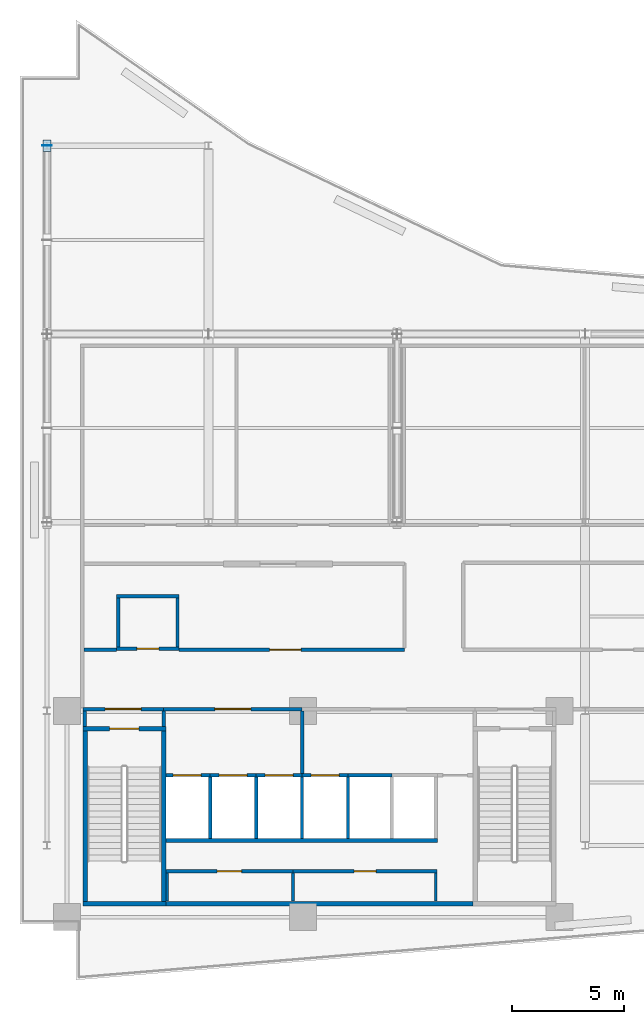
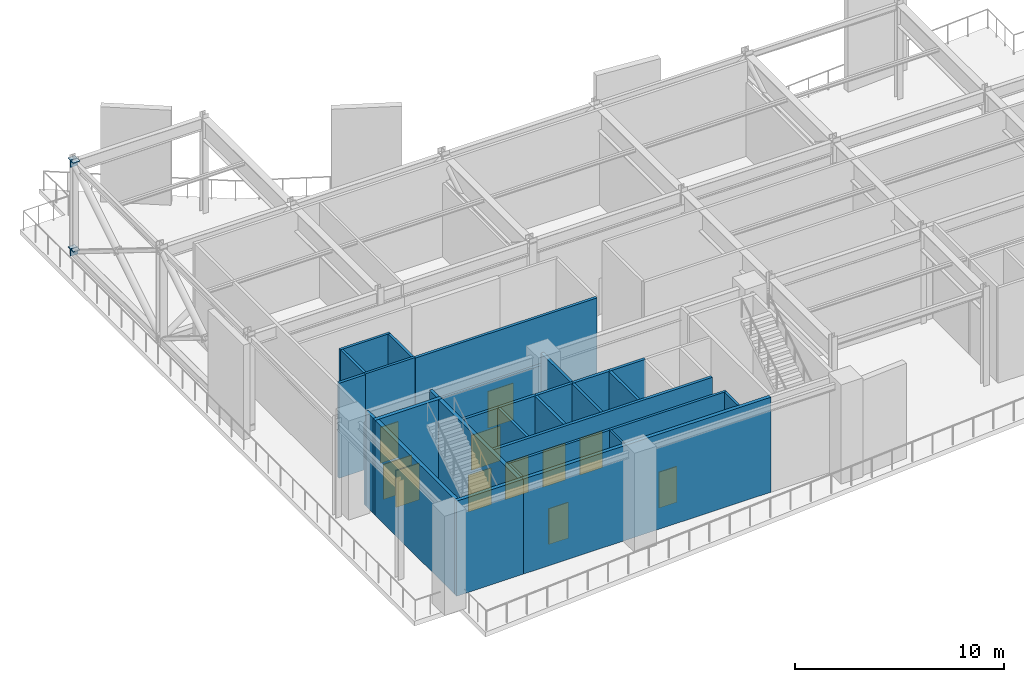
# One storey, part 7 of 13: 31 walls, 11 doors, 4 plates, 11 openings.
"""IFC4 building model written with IfcOpenShell, lengths in metres."""

from ifc_helpers import new_model, si_unit, direction, frame, frame_2d, origin, origin_2d, place, context, subcontext, project, spatial, rectangle, extrude, material, layer, layer_set, type_object, element, fill, save


model = new_model("IFC4")

# Units and contexts
model_context = context("Model", 3, precision=1e-05, world=origin(), true_north=direction((0.0, 1.0)))
body_context = subcontext(model_context, "Body", "Model", "MODEL_VIEW")
ifc_project = project(units=[si_unit("LENGTHUNIT", "METRE"), si_unit("AREAUNIT", "SQUARE_METRE"), si_unit("VOLUMEUNIT", "CUBIC_METRE"), si_unit("PLANEANGLEUNIT", "RADIAN"), si_unit("MASSUNIT", "GRAM", prefix="KILO")], contexts=[model_context])

# Site, building, storey
site_placement = place(None, origin())
site = spatial("IfcSite", under=ifc_project, at=site_placement, CompositionType="ELEMENT")
building_placement = place(site_placement, origin())
building = spatial("IfcBuilding", under=site, at=building_placement, Name="Varnakote Quay Hospital", CompositionType="ELEMENT")
storey_placement = place(building_placement, frame((0.0, 0.0, 174.449951171875)))
storey = spatial("IfcBuildingStorey", under=building, at=storey_placement, Name="L43", CompositionType="ELEMENT", Elevation=174.449951171875)

# Plates
ifc_material_1 = material(Name="Structural steel AS/NZS 3678 Grade 350 (fy 340 MPa)", Category="steel")
ifc_layer_1 = layer(ifc_material_1, 0.02001953125)
ifc_layer_set_1 = layer_set([ifc_layer_1], Name="Structural steel AS/NZS 3678 Grade 350 (fy 340 MPa)")
plate_type_1 = type_object("IfcPlateType", Name="PLT-ENDCAP-420x420x20", PredefinedType="USERDEFINED", material=ifc_layer_set_1)
for number, where, z_axis, x_axis, name in (
    (1, (1.199951171875, 37.199951171875, -0.030029296875), (0.0, 0.0, 1.0), (0.0, 1.0, 0.0), "L43 Hollow Section Sealed End Cap Plate"),
    (2, (1.199951171875, 37.199951171875, 5.170166015625), (0.0, 0.0, 1.0), (0.0, 1.0, 0.0), "L43 Hollow Section Sealed End Cap Plate"),
):
    element("IfcPlate", number, at=place(storey_placement, frame(where, z_axis=z_axis, x_axis=x_axis)), inside=storey, type_object=plate_type_1, Name=name, ObjectType="END_CAP_PLATE", PredefinedType="USERDEFINED", context=body_context, shape_type="SweptSolid", body=[
        extrude(rectangle(XDim=0.02001953125, YDim=0.419921875, at=origin_2d()), origin(), (0.0, 0.0, 1.0), 0.419921875),
    ])
ifc_material_2 = material(Name="Structural steel AS/NZS 3678 Grade 350 (fy 340 MPa)", Category="steel")
ifc_layer_2 = layer(ifc_material_2, 0.031982421875)
ifc_layer_set_2 = layer_set([ifc_layer_2], Name="Structural steel AS/NZS 3678 Grade 350 (fy 340 MPa)")
plate_type_2 = type_object("IfcPlateType", Name="PLT-GUSSET-520x360x32", PredefinedType="USERDEFINED", material=ifc_layer_set_2)
for number, where, z_axis, x_axis, name in (
    (3, (1.199951171875, 37.199951171875, 0.34423828125), (0.0, 0.0, 1.0), (0.0, 1.0, 0.0), "L43 Truss Concentric Node Gusset Plate"),
    (4, (1.199951171875, 37.199951171875, 5.5439453125), (0.0, 0.0, 1.0), (0.0, 1.0, 0.0), "L43 Truss Concentric Node Gusset Plate"),
):
    element("IfcPlate", number, at=place(storey_placement, frame(where, z_axis=z_axis, x_axis=x_axis)), inside=storey, type_object=plate_type_2, Name=name, ObjectType="GUSSET_PLATE", PredefinedType="USERDEFINED", context=body_context, shape_type="SweptSolid", body=[
        extrude(rectangle(XDim=0.52001953125, YDim=0.360107421875, at=origin_2d()), origin(), (0.0, 0.0, 1.0), 0.031982421875),
    ])

# Wall
ifc_material_3 = material(Name="Fire-rated acoustic gypsum stud wall", Category="gypsum")
ifc_layer_3 = layer(ifc_material_3, 0.14990234375)
ifc_layer_set_3 = layer_set([ifc_layer_3], Name="Fire-rated acoustic gypsum stud wall")
wall_type_1 = type_object("IfcWallType", Name="WL-COMP-150", PredefinedType="PARTITIONING", material=ifc_layer_set_3)
wall_1_placement = place(storey_placement, frame((2.85009765625, 14.72998046875, 0.0), z_axis=(0.0, 0.0, 1.0), x_axis=(1.0, 0.0, 0.0)))
element("IfcWall", 5, at=wall_1_placement, inside=storey, type_object=wall_type_1, Name="L43 West Refuge Pocket Wall", PredefinedType="PARTITIONING", context=body_context, shape_type="SweptSolid", body=[
    extrude(rectangle(XDim=1.4580078125, YDim=0.14990234375, at=frame_2d((0.72900390625, 0.0))), origin(), (0.0, 0.0, 1.0), 5.56005859375),
])

# Wall, opening, door
wall_2_placement = place(storey_placement, frame((7.092041015625, 14.72998046875, 0.0), z_axis=(0.0, 0.0, 1.0), x_axis=(1.0, 0.0, 0.0)))
wall_2 = element("IfcWall", 6, at=wall_2_placement, inside=storey, type_object=wall_type_1, Name="L43 West Refuge Corridor Wall", PredefinedType="PARTITIONING", context=body_context, shape_type="SweptSolid", body=[
    extrude(rectangle(XDim=10.0478515625, YDim=0.14990234375, at=frame_2d((5.02392578125, 0.0))), origin(), (0.0, 0.0, 1.0), 5.56005859375),
])
opening_1_placement = place(wall_2_placement, frame((4.0380859375, 0.0, 0.0)))
opening_1 = element("IfcOpeningElement", 7, at=opening_1_placement, cuts=wall_2, Name="Opening D-REF1-L43", PredefinedType="OPENING", context=body_context, shape_type="SweptSolid", body=[
    extrude(rectangle(XDim=1.39990234375, YDim=2.14990234375, at=frame_2d((0.699951171875, 1.074951171875))), frame((0.0, 0.0849609375, 0.0), z_axis=(0.0, -1.0, 0.0), x_axis=(1.0, 0.0, 0.0)), (0.0, 0.0, 1.0), 0.169921875),
])
ifc_material_4 = material(Name="Fire-rated acoustic plant room door")
door_type_1 = type_object("IfcDoorType", Name="DR-PLANT-FD60-1400x2150", OperationType="NOTDEFINED", PredefinedType="DOOR", material=ifc_material_4)
door_1_placement = place(opening_1_placement, origin())
door_1 = element("IfcDoor", 8, at=door_1_placement, inside=storey, type_object=door_type_1, Name="L43 Fire Refuge Holding Area West Door", OperationType="SINGLE_SWING_LEFT", OverallHeight=2.14990234375, OverallWidth=1.39990234375, PredefinedType="DOOR", context=body_context, shape_type="SweptSolid", body=[
    extrude(rectangle(XDim=1.39990234375, YDim=2.14990234375, at=frame_2d((0.699951171875, 1.074951171875))), frame((0.0, 0.02490234375, 0.0), z_axis=(0.0, -1.0, 0.0), x_axis=(1.0, 0.0, 0.0)), (0.0, 0.0, 1.0), 0.050048828125),
])
fill(opening_1, door_1)

# Wall
ifc_material_5 = material(Name="Fire-rated acoustic gypsum stud wall", Category="gypsum")
ifc_layer_4 = layer(ifc_material_5, 0.159912109375)
ifc_layer_set_4 = layer_set([ifc_layer_4], Name="Fire-rated acoustic gypsum stud wall")
wall_type_2 = type_object("IfcWallType", Name="WL-COMP-160", PredefinedType="PARTITIONING", material=ifc_layer_set_4)
wall_3_placement = place(storey_placement, frame((2.8798828125, 11.300048828125, 0.0), z_axis=(0.0, 0.0, 1.0), x_axis=(0.0, 1.0, 0.0)))
element("IfcWall", 9, at=wall_3_placement, inside=storey, type_object=wall_type_2, Name="L43 West Stair Vestibule West Wall", PredefinedType="PARTITIONING", context=body_context, shape_type="SweptSolid", body=[
    extrude(rectangle(XDim=0.699951171875, YDim=0.159912109375, at=frame_2d((0.35009765625, 0.0))), origin(), (0.0, 0.0, 1.0), 5.56005859375),
])

# Wall, opening, door
wall_4_placement = place(storey_placement, frame((2.800048828125, 12.080078125, 0.0), z_axis=(0.0, 0.0, 1.0), x_axis=(1.0, 0.0, 0.0)))
wall_4 = element("IfcWall", 10, at=wall_4_placement, inside=storey, type_object=wall_type_2, Name="L43 West Stair Vestibule Smoke Wall", PredefinedType="PARTITIONING", context=body_context, shape_type="SweptSolid", body=[
    extrude(rectangle(XDim=3.599853515625, YDim=0.159912109375, at=frame_2d((1.7998046875, 0.0))), origin(), (0.0, 0.0, 1.0), 4.8349609375),
])
opening_2_placement = place(wall_4_placement, frame((1.0, 0.0, 0.0)))
opening_2 = element("IfcOpeningElement", 11, at=opening_2_placement, cuts=wall_4, Name="Opening D-ST1L-L43", PredefinedType="OPENING", context=body_context, shape_type="SweptSolid", body=[
    extrude(rectangle(XDim=1.60009765625, YDim=2.050048828125, at=frame_2d((0.800048828125, 1.02490234375))), frame((0.0, 0.08984375, 0.0), z_axis=(0.0, -1.0, 0.0), x_axis=(1.0, 0.0, 0.0)), (0.0, 0.0, 1.0), 0.179931640625),
])
ifc_material_6 = material(Name="Fire-rated double smoke lobby door")
door_type_2 = type_object("IfcDoorType", Name="DR-LOBBY-FD60S-1600x2150", OperationType="NOTDEFINED", PredefinedType="DOOR", material=ifc_material_6)
door_2_placement = place(opening_2_placement, origin())
door_2 = element("IfcDoor", 12, at=door_2_placement, inside=storey, type_object=door_type_2, Name="L43 West Stair Vestibule Smoke Door", OperationType="DOUBLE_DOOR_SINGLE_SWING", OverallHeight=2.050048828125, OverallWidth=1.60009765625, PredefinedType="DOOR", context=body_context, shape_type="SweptSolid", body=[
    extrude(rectangle(XDim=1.60009765625, YDim=2.050048828125, at=frame_2d((0.800048828125, 1.02490234375))), frame((0.0, 0.02490234375, 0.0), z_axis=(0.0, -1.0, 0.0), x_axis=(1.0, 0.0, 0.0)), (0.0, 0.0, 1.0), 0.050048828125),
])
fill(opening_2, door_2)

# Wall
wall_5_placement = place(storey_placement, frame((6.39990234375, 11.300048828125, 0.0), z_axis=(0.0, 0.0, 1.0), x_axis=(0.0, 1.0, 0.0)))
element("IfcWall", 13, at=wall_5_placement, inside=storey, type_object=wall_type_2, Name="L43 Firefighting Lobby West Wall", PredefinedType="PARTITIONING", context=body_context, shape_type="SweptSolid", body=[
    extrude(rectangle(XDim=0.699951171875, YDim=0.159912109375, at=frame_2d((0.35009765625, 0.0))), origin(), (0.0, 0.0, 1.0), 5.56005859375),
])

# Wall, opening, door
wall_6_placement = place(storey_placement, frame((6.39990234375, 12.080078125, 0.0), z_axis=(0.0, 0.0, 1.0), x_axis=(1.0, 0.0, 0.0)))
wall_6 = element("IfcWall", 14, at=wall_6_placement, inside=storey, type_object=wall_type_2, Name="L43 Firefighting Lift Lobby Compartment Wall", PredefinedType="PARTITIONING", context=body_context, shape_type="SweptSolid", body=[
    extrude(rectangle(XDim=6.18017578125, YDim=0.159912109375, at=frame_2d((3.090087890625, 0.0))), origin(), (0.0, 0.0, 1.0), 4.8349609375),
])
opening_3_placement = place(wall_6_placement, frame((2.2900390625, 0.0, 0.0)))
opening_3 = element("IfcOpeningElement", 15, at=opening_3_placement, cuts=wall_6, Name="Opening D-FFL-L43", PredefinedType="OPENING", context=body_context, shape_type="SweptSolid", body=[
    extrude(rectangle(XDim=1.60009765625, YDim=2.050048828125, at=frame_2d((0.800048828125, 1.02490234375))), frame((0.0, 0.08984375, 0.0), z_axis=(0.0, -1.0, 0.0), x_axis=(1.0, 0.0, 0.0)), (0.0, 0.0, 1.0), 0.179931640625),
])
door_3_placement = place(opening_3_placement, origin())
door_3 = element("IfcDoor", 16, at=door_3_placement, inside=storey, type_object=door_type_2, Name="L43 Firefighting Smoke Vestibule Door", OperationType="DOUBLE_DOOR_SINGLE_SWING", OverallHeight=2.050048828125, OverallWidth=1.60009765625, PredefinedType="DOOR", context=body_context, shape_type="SweptSolid", body=[
    extrude(rectangle(XDim=1.60009765625, YDim=2.050048828125, at=frame_2d((0.800048828125, 1.02490234375))), frame((0.0, 0.02490234375, 0.0), z_axis=(0.0, -1.0, 0.0), x_axis=(1.0, 0.0, 0.0)), (0.0, 0.0, 1.0), 0.050048828125),
])
fill(opening_3, door_3)

# Walls
wall_7_placement = place(storey_placement, frame((12.580078125, 9.2099609375, 0.0), z_axis=(0.0, 0.0, 1.0), x_axis=(0.0, 1.0, 0.0)))
element("IfcWall", 17, at=wall_7_placement, inside=storey, type_object=wall_type_2, Name="L43 Firefighting to Service Lobby Wall", PredefinedType="PARTITIONING", context=body_context, shape_type="SweptSolid", body=[
    extrude(rectangle(XDim=2.7900390625, YDim=0.159912109375, at=frame_2d((1.39501953125, 0.0))), origin(), (0.0, 0.0, 1.0), 5.56005859375),
])
ifc_material_7 = material(Name="Concrete N65 (f'c 65 MPa)", Category="concrete")
ifc_layer_5 = layer(ifc_material_7, 0.199951171875)
ifc_layer_set_5 = layer_set([ifc_layer_5], Name="Concrete N65 (f'c 65 MPa)")
wall_type_3 = type_object("IfcWallType", Name="WL-CORE-N65-200", PredefinedType="SHEAR", material=ifc_layer_set_5)
wall_8_placement = place(storey_placement, frame((6.5, 3.39990234375, 0.0), z_axis=(0.0, 0.0, 1.0), x_axis=(1.0, 0.0, 0.0)))
element("IfcWall", 18, at=wall_8_placement, inside=storey, type_object=wall_type_3, Name="L43 Rear Core South Shear Wall", PredefinedType="SHEAR", context=body_context, shape_type="SweptSolid", body=[
    extrude(rectangle(XDim=13.699951171875, YDim=0.199951171875, at=frame_2d((6.85009765625, 0.0))), origin(), (0.0, 0.0, 1.0), 5.56005859375),
])
ifc_material_8 = material(Name="Concrete N50 (f'c 50 MPa)", Category="concrete")
ifc_layer_6 = layer(ifc_material_8, 0.14990234375)
ifc_layer_set_6 = layer_set([ifc_layer_6], Name="Concrete N50 (f'c 50 MPa)")
wall_type_4 = type_object("IfcWallType", Name="WL-SHAFT-N50-150", PredefinedType="SHEAR", material=ifc_layer_set_6)
for number, where, z_axis, x_axis, name in (
    (19, (8.47509765625, 6.300048828125, 0.0), (0.0, 0.0, 1.0), (0.0, 1.0, 0.0), "L43 LF-FF1 Hoistway Divider Wall"),
    (20, (10.52490234375, 6.300048828125, 0.0), (0.0, 0.0, 1.0), (0.0, 1.0, 0.0), "L43 LF-FF2 Hoistway Divider Wall"),
    (21, (12.574951171875, 6.300048828125, 0.0), (0.0, 0.0, 1.0), (0.0, 1.0, 0.0), "L43 LF-SV1 Hoistway Divider Wall"),
    (22, (14.625, 6.300048828125, 0.0), (0.0, 0.0, 1.0), (0.0, 1.0, 0.0), "L43 LF-SV2 Hoistway Divider Wall"),
):
    element("IfcWall", number, at=place(storey_placement, frame(where, z_axis=z_axis, x_axis=x_axis)), inside=storey, type_object=wall_type_4, Name=name, PredefinedType="SHEAR", context=body_context, shape_type="SweptSolid", body=[
        extrude(rectangle(XDim=2.75, YDim=0.14990234375, at=frame_2d((1.375, 0.0))), origin(), (0.0, 0.0, 1.0), 5.56005859375),
    ])
ifc_material_9 = material(Name="Concrete N50 (f'c 50 MPa)", Category="concrete")
ifc_layer_7 = layer(ifc_material_9, 0.159912109375)
ifc_layer_set_7 = layer_set([ifc_layer_7], Name="Concrete N50 (f'c 50 MPa)")
wall_type_5 = type_object("IfcWallType", Name="WL-SHAFT-N50-160", PredefinedType="SHEAR", material=ifc_layer_set_7)
wall_9_placement = place(storey_placement, frame((6.5, 6.219970703125, 0.0), z_axis=(0.0, 0.0, 1.0), x_axis=(1.0, 0.0, 0.0)))
element("IfcWall", 23, at=wall_9_placement, inside=storey, type_object=wall_type_5, Name="L43 REAR Lift Bank Back Shear Wall", PredefinedType="SHEAR", context=body_context, shape_type="SweptSolid", body=[
    extrude(rectangle(XDim=12.110107421875, YDim=0.159912109375, at=frame_2d((6.05517578125, 0.0))), origin(), (0.0, 0.0, 1.0), 5.56005859375),
])

# Wall, opening, door
wall_10_placement = place(storey_placement, frame((6.5, 9.1298828125, 0.0), z_axis=(0.0, 0.0, 1.0), x_axis=(1.0, 0.0, 0.0)))
wall_10 = element("IfcWall", 24, at=wall_10_placement, inside=storey, type_object=wall_type_5, Name="L43 LF-FF1 Hoistway Front Wall", PredefinedType="SHEAR", context=body_context, shape_type="SweptSolid", body=[
    extrude(rectangle(XDim=1.97509765625, YDim=0.159912109375, at=frame_2d((0.987548828125, 0.0))), origin(), (0.0, 0.0, 1.0), 5.56005859375),
])
opening_4_placement = place(wall_10_placement, frame((0.324951171875, 0.0, 0.0)))
opening_4 = element("IfcOpeningElement", 25, at=opening_4_placement, cuts=wall_10, Name="Opening LD-FF1-L43", PredefinedType="OPENING", context=body_context, shape_type="SweptSolid", body=[
    extrude(rectangle(XDim=1.25, YDim=2.14990234375, at=frame_2d((0.625, 1.074951171875))), frame((0.0, 0.08984375, 0.0), z_axis=(0.0, -1.0, 0.0), x_axis=(1.0, 0.0, 0.0)), (0.0, 0.0, 1.0), 0.179931640625),
])
ifc_material_10 = material(Name="Stainless steel lift landing sliding door", Category="steel")
door_type_3 = type_object("IfcDoorType", Name="DR-LIFT-LD-1250x2150", OperationType="NOTDEFINED", PredefinedType="DOOR", material=ifc_material_10)
door_4_placement = place(opening_4_placement, origin())
door_4 = element("IfcDoor", 26, at=door_4_placement, inside=storey, type_object=door_type_3, Name="L43 LF-FF1 Lift Landing Sliding Door", OperationType="SLIDING_TO_LEFT", OverallHeight=2.14990234375, OverallWidth=1.25, PredefinedType="DOOR", context=body_context, shape_type="SweptSolid", body=[
    extrude(rectangle(XDim=1.25, YDim=2.14990234375, at=frame_2d((0.625, 1.074951171875))), frame((0.0, 0.02490234375, 0.0), z_axis=(0.0, -1.0, 0.0), x_axis=(1.0, 0.0, 0.0)), (0.0, 0.0, 1.0), 0.050048828125),
])
fill(opening_4, door_4)

wall_11_placement = place(storey_placement, frame((8.47509765625, 9.1298828125, 0.0), z_axis=(0.0, 0.0, 1.0), x_axis=(1.0, 0.0, 0.0)))
wall_11 = element("IfcWall", 27, at=wall_11_placement, inside=storey, type_object=wall_type_5, Name="L43 LF-FF2 Hoistway Front Wall", PredefinedType="SHEAR", context=body_context, shape_type="SweptSolid", body=[
    extrude(rectangle(XDim=2.0498046875, YDim=0.159912109375, at=frame_2d((1.02490234375, 0.0))), origin(), (0.0, 0.0, 1.0), 5.56005859375),
])
opening_5_placement = place(wall_11_placement, frame((0.39990234375, 0.0, 0.0)))
opening_5 = element("IfcOpeningElement", 28, at=opening_5_placement, cuts=wall_11, Name="Opening LD-FF2-L43", PredefinedType="OPENING", context=body_context, shape_type="SweptSolid", body=[
    extrude(rectangle(XDim=1.25, YDim=2.14990234375, at=frame_2d((0.625, 1.074951171875))), frame((0.0, 0.08984375, 0.0), z_axis=(0.0, -1.0, 0.0), x_axis=(1.0, 0.0, 0.0)), (0.0, 0.0, 1.0), 0.179931640625),
])
door_5_placement = place(opening_5_placement, origin())
door_5 = element("IfcDoor", 29, at=door_5_placement, inside=storey, type_object=door_type_3, Name="L43 LF-FF2 Lift Landing Sliding Door", OperationType="SLIDING_TO_LEFT", OverallHeight=2.14990234375, OverallWidth=1.25, PredefinedType="DOOR", context=body_context, shape_type="SweptSolid", body=[
    extrude(rectangle(XDim=1.25, YDim=2.14990234375, at=frame_2d((0.625, 1.074951171875))), frame((0.0, 0.02490234375, 0.0), z_axis=(0.0, -1.0, 0.0), x_axis=(1.0, 0.0, 0.0)), (0.0, 0.0, 1.0), 0.050048828125),
])
fill(opening_5, door_5)

wall_12_placement = place(storey_placement, frame((10.52490234375, 9.1298828125, 0.0), z_axis=(0.0, 0.0, 1.0), x_axis=(1.0, 0.0, 0.0)))
wall_12 = element("IfcWall", 30, at=wall_12_placement, inside=storey, type_object=wall_type_5, Name="L43 LF-SV1 Hoistway Front Wall", PredefinedType="SHEAR", context=body_context, shape_type="SweptSolid", body=[
    extrude(rectangle(XDim=2.050048828125, YDim=0.159912109375, at=frame_2d((1.02490234375, 0.0))), origin(), (0.0, 0.0, 1.0), 5.56005859375),
])
opening_6_placement = place(wall_12_placement, frame((0.39990234375, 0.0, 0.0)))
opening_6 = element("IfcOpeningElement", 31, at=opening_6_placement, cuts=wall_12, Name="Opening LD-SV1-L43", PredefinedType="OPENING", context=body_context, shape_type="SweptSolid", body=[
    extrude(rectangle(XDim=1.25, YDim=2.14990234375, at=frame_2d((0.625, 1.074951171875))), frame((0.0, 0.08984375, 0.0), z_axis=(0.0, -1.0, 0.0), x_axis=(1.0, 0.0, 0.0)), (0.0, 0.0, 1.0), 0.179931640625),
])
door_6_placement = place(opening_6_placement, origin())
door_6 = element("IfcDoor", 32, at=door_6_placement, inside=storey, type_object=door_type_3, Name="L43 LF-SV1 Lift Landing Sliding Door", OperationType="SLIDING_TO_LEFT", OverallHeight=2.14990234375, OverallWidth=1.25, PredefinedType="DOOR", context=body_context, shape_type="SweptSolid", body=[
    extrude(rectangle(XDim=1.25, YDim=2.14990234375, at=frame_2d((0.625, 1.074951171875))), frame((0.0, 0.02490234375, 0.0), z_axis=(0.0, -1.0, 0.0), x_axis=(1.0, 0.0, 0.0)), (0.0, 0.0, 1.0), 0.050048828125),
])
fill(opening_6, door_6)

wall_13_placement = place(storey_placement, frame((12.574951171875, 9.1298828125, 0.0), z_axis=(0.0, 0.0, 1.0), x_axis=(1.0, 0.0, 0.0)))
wall_13 = element("IfcWall", 33, at=wall_13_placement, inside=storey, type_object=wall_type_5, Name="L43 LF-SV2 Hoistway Front Wall", PredefinedType="SHEAR", context=body_context, shape_type="SweptSolid", body=[
    extrude(rectangle(XDim=2.050048828125, YDim=0.159912109375, at=frame_2d((1.02490234375, 0.0))), origin(), (0.0, 0.0, 1.0), 5.56005859375),
])
opening_7_placement = place(wall_13_placement, frame((0.39990234375, 0.0, 0.0)))
opening_7 = element("IfcOpeningElement", 34, at=opening_7_placement, cuts=wall_13, Name="Opening LD-SV2-L43", PredefinedType="OPENING", context=body_context, shape_type="SweptSolid", body=[
    extrude(rectangle(XDim=1.25, YDim=2.14990234375, at=frame_2d((0.625, 1.074951171875))), frame((0.0, 0.08984375, 0.0), z_axis=(0.0, -1.0, 0.0), x_axis=(1.0, 0.0, 0.0)), (0.0, 0.0, 1.0), 0.179931640625),
])
door_7_placement = place(opening_7_placement, origin())
door_7 = element("IfcDoor", 35, at=door_7_placement, inside=storey, type_object=door_type_3, Name="L43 LF-SV2 Lift Landing Sliding Door", OperationType="SLIDING_TO_LEFT", OverallHeight=2.14990234375, OverallWidth=1.25, PredefinedType="DOOR", context=body_context, shape_type="SweptSolid", body=[
    extrude(rectangle(XDim=1.25, YDim=2.14990234375, at=frame_2d((0.625, 1.074951171875))), frame((0.0, 0.02490234375, 0.0), z_axis=(0.0, -1.0, 0.0), x_axis=(1.0, 0.0, 0.0)), (0.0, 0.0, 1.0), 0.050048828125),
])
fill(opening_7, door_7)

# Walls
wall_14_placement = place(storey_placement, frame((14.625, 9.1298828125, 0.0), z_axis=(0.0, 0.0, 1.0), x_axis=(1.0, 0.0, 0.0)))
element("IfcWall", 36, at=wall_14_placement, inside=storey, type_object=wall_type_5, Name="L43 LF-PH1 Hoistway Front Wall", PredefinedType="SHEAR", context=body_context, shape_type="SweptSolid", body=[
    extrude(rectangle(XDim=1.949951171875, YDim=0.159912109375, at=frame_2d((0.97509765625, 0.0))), origin(), (0.0, 0.0, 1.0), 5.56005859375),
])
ifc_material_11 = material(Name="Concrete N50 (f'c 50 MPa)", Category="concrete")
ifc_layer_8 = layer(ifc_material_11, 0.199951171875)
ifc_layer_set_8 = layer_set([ifc_layer_8], Name="Concrete N50 (f'c 50 MPa)")
wall_type_6 = type_object("IfcWallType", Name="WL-SHAFT-N50-200", PredefinedType="SHEAR", material=ifc_layer_set_8)
wall_15_placement = place(storey_placement, frame((2.800048828125, 3.39990234375, 0.0), z_axis=(0.0, 0.0, 1.0), x_axis=(1.0, 0.0, 0.0)))
element("IfcWall", 37, at=wall_15_placement, inside=storey, type_object=wall_type_6, Name="L43 Stair ST1 South Shaft Wall", PredefinedType="SHEAR", context=body_context, shape_type="SweptSolid", body=[
    extrude(rectangle(XDim=3.699951171875, YDim=0.199951171875, at=frame_2d((1.85009765625, 0.0))), origin(), (0.0, 0.0, 1.0), 5.56005859375),
])
for number, where, z_axis, x_axis, name in (
    (38, (2.89990234375, 3.5, 0.0), (0.0, 0.0, 1.0), (0.0, 1.0, 0.0), "L43 Stair ST1 West Shaft Wall"),
    (39, (6.39990234375, 3.5, 0.0), (0.0, 0.0, 1.0), (0.0, 1.0, 0.0), "L43 Stair ST1 East Shaft Wall"),
):
    element("IfcWall", number, at=place(storey_placement, frame(where, z_axis=z_axis, x_axis=x_axis)), inside=storey, type_object=wall_type_6, Name=name, PredefinedType="SHEAR", context=body_context, shape_type="SweptSolid", body=[
        extrude(rectangle(XDim=7.60009765625, YDim=0.199951171875, at=frame_2d((3.800048828125, 0.0))), origin(), (0.0, 0.0, 1.0), 5.56005859375),
    ])

# Wall, opening, door
wall_16_placement = place(storey_placement, frame((2.800048828125, 11.199951171875, 0.0), z_axis=(0.0, 0.0, 1.0), x_axis=(1.0, 0.0, 0.0)))
wall_16 = element("IfcWall", 40, at=wall_16_placement, inside=storey, type_object=wall_type_6, Name="L43 Stair ST1 Exit Wall", PredefinedType="SHEAR", context=body_context, shape_type="SweptSolid", body=[
    extrude(rectangle(XDim=3.699951171875, YDim=0.199951171875, at=frame_2d((1.85009765625, 0.0))), origin(), (0.0, 0.0, 1.0), 5.56005859375),
])
opening_8_placement = place(wall_16_placement, frame((1.199951171875, 0.0, 0.0)))
opening_8 = element("IfcOpeningElement", 41, at=opening_8_placement, cuts=wall_16, Name="Opening D-ST1-L43", PredefinedType="OPENING", context=body_context, shape_type="SweptSolid", body=[
    extrude(rectangle(XDim=1.300048828125, YDim=2.14990234375, at=frame_2d((0.64990234375, 1.074951171875))), frame((0.0, 0.10986328125, 0.0), z_axis=(0.0, -1.0, 0.0), x_axis=(1.0, 0.0, 0.0)), (0.0, 0.0, 1.0), 0.219970703125),
])
ifc_material_12 = material(Name="Fire-rated ceramic-glazed timber exit door", Category="wood")
door_type_4 = type_object("IfcDoorType", Name="DR-STAIR-FD60S-1300x2150", OperationType="NOTDEFINED", PredefinedType="DOOR", material=ifc_material_12)
door_8_placement = place(opening_8_placement, origin())
door_8 = element("IfcDoor", 42, at=door_8_placement, inside=storey, type_object=door_type_4, Name="L43 Stair ST1 Fire Exit Door", OperationType="SINGLE_SWING_LEFT", OverallHeight=2.14990234375, OverallWidth=1.300048828125, PredefinedType="DOOR", context=body_context, shape_type="SweptSolid", body=[
    extrude(rectangle(XDim=1.300048828125, YDim=2.14990234375, at=frame_2d((0.64990234375, 1.074951171875))), frame((0.0, 0.02490234375, 0.0), z_axis=(0.0, -1.0, 0.0), x_axis=(1.0, 0.0, 0.0)), (0.0, 0.0, 1.0), 0.050048828125),
])
fill(opening_8, door_8)

# Walls
ifc_material_13 = material(Name="Smoke-proof clinical partition", Category="gypsum")
ifc_layer_9 = layer(ifc_material_13, 0.1201171875)
ifc_layer_set_9 = layer_set([ifc_layer_9], Name="Smoke-proof clinical partition")
wall_type_7 = type_object("IfcWallType", Name="WL-SMOKE-120", PredefinedType="PARTITIONING", material=ifc_layer_set_9)
for number, where, z_axis, x_axis, name in (
    (43, (6.56005859375, 3.52001953125, 0.0), (0.0, 0.0, 1.0), (0.0, 1.0, 0.0), "L43 Core South Service West Wall"),
    (44, (12.169921875, 3.52001953125, 0.0), (0.0, 0.0, 1.0), (0.0, 1.0, 0.0), "L43 Core South Service Divider"),
    (45, (18.5400390625, 3.52001953125, 0.0), (0.0, 0.0, 1.0), (0.0, 1.0, 0.0), "L43 Core South Service East Wall"),
):
    element("IfcWall", number, at=place(storey_placement, frame(where, z_axis=z_axis, x_axis=x_axis)), inside=storey, type_object=wall_type_7, Name=name, PredefinedType="PARTITIONING", context=body_context, shape_type="SweptSolid", body=[
        extrude(rectangle(XDim=1.260009765625, YDim=0.1201171875, at=frame_2d((0.6298828125, 0.0))), origin(), (0.0, 0.0, 1.0), 5.56005859375),
    ])

# Wall, opening, door
ifc_material_14 = material(Name="Fire-rated clinical gypsum partition", Category="gypsum")
ifc_layer_10 = layer(ifc_material_14, 0.139892578125)
ifc_layer_set_10 = layer_set([ifc_layer_10], Name="Fire-rated clinical gypsum partition")
wall_type_8 = type_object("IfcWallType", Name="WL-WARD-140", PredefinedType="PARTITIONING", material=ifc_layer_set_10)
wall_17_placement = place(storey_placement, frame((6.5, 4.85009765625, 0.0), z_axis=(0.0, 0.0, 1.0), x_axis=(1.0, 0.0, 0.0)))
wall_17 = element("IfcWall", 46, at=wall_17_placement, inside=storey, type_object=wall_type_8, Name="L43 Core Clean Linen Store North Wall", PredefinedType="PARTITIONING", context=body_context, shape_type="SweptSolid", body=[
    extrude(rectangle(XDim=5.669921875, YDim=0.139892578125, at=frame_2d((2.8349609375, 0.0))), origin(), (0.0, 0.0, 1.0), 5.56005859375),
])
opening_9_placement = place(wall_17_placement, frame((2.284912109375, 0.0, 0.0)))
opening_9 = element("IfcOpeningElement", 47, at=opening_9_placement, cuts=wall_17, Name="Opening D-L43-CR01", PredefinedType="OPENING", context=body_context, shape_type="SweptSolid", body=[
    extrude(rectangle(XDim=1.10009765625, YDim=2.10009765625, at=frame_2d((0.550048828125, 1.050048828125))), frame((0.0, 0.079833984375, 0.0), z_axis=(0.0, -1.0, 0.0), x_axis=(1.0, 0.0, 0.0)), (0.0, 0.0, 1.0), 0.159912109375),
])
ifc_material_15 = material(Name="Acoustic timber clinical consult door", Category="wood")
door_type_5 = type_object("IfcDoorType", Name="DR-CLIN-FD30S-1100x2100", OperationType="NOTDEFINED", PredefinedType="DOOR", material=ifc_material_15)
door_9_placement = place(opening_9_placement, origin())
door_9 = element("IfcDoor", 48, at=door_9_placement, inside=storey, type_object=door_type_5, Name="L43 Core Clean Linen Store Door", OperationType="SINGLE_SWING_LEFT", OverallHeight=2.10009765625, OverallWidth=1.10009765625, PredefinedType="DOOR", context=body_context, shape_type="SweptSolid", body=[
    extrude(rectangle(XDim=1.10009765625, YDim=2.10009765625, at=frame_2d((0.550048828125, 1.050048828125))), frame((0.0, 0.02490234375, 0.0), z_axis=(0.0, -1.0, 0.0), x_axis=(1.0, 0.0, 0.0)), (0.0, 0.0, 1.0), 0.050048828125),
])
fill(opening_9, door_9)

wall_18_placement = place(storey_placement, frame((12.169921875, 4.85009765625, 0.0), z_axis=(0.0, 0.0, 1.0), x_axis=(1.0, 0.0, 0.0)))
wall_18 = element("IfcWall", 49, at=wall_18_placement, inside=storey, type_object=wall_type_8, Name="L43 Core Staff Sanitary WC North Wall", PredefinedType="PARTITIONING", context=body_context, shape_type="SweptSolid", body=[
    extrude(rectangle(XDim=6.43017578125, YDim=0.139892578125, at=frame_2d((3.215087890625, 0.0))), origin(), (0.0, 0.0, 1.0), 5.56005859375),
])
opening_10_placement = place(wall_18_placement, frame((2.72509765625, 0.0, 0.0)))
opening_10 = element("IfcOpeningElement", 50, at=opening_10_placement, cuts=wall_18, Name="Opening D-L43-CR02", PredefinedType="OPENING", context=body_context, shape_type="SweptSolid", body=[
    extrude(rectangle(XDim=0.97998046875, YDim=2.10009765625, at=frame_2d((0.489990234375, 1.050048828125))), frame((0.0, 0.079833984375, 0.0), z_axis=(0.0, -1.0, 0.0), x_axis=(1.0, 0.0, 0.0)), (0.0, 0.0, 1.0), 0.159912109375),
])
ifc_material_16 = material(Name="Accessible sanitary compartment door")
door_type_6 = type_object("IfcDoorType", Name="DR-WC-980x2100", OperationType="NOTDEFINED", PredefinedType="DOOR", material=ifc_material_16)
door_10_placement = place(opening_10_placement, origin())
door_10 = element("IfcDoor", 51, at=door_10_placement, inside=storey, type_object=door_type_6, Name="L43 Core Staff Sanitary WC Door", OperationType="SINGLE_SWING_RIGHT", OverallHeight=2.10009765625, OverallWidth=0.97998046875, PredefinedType="DOOR", context=body_context, shape_type="SweptSolid", body=[
    extrude(rectangle(XDim=0.97998046875, YDim=2.10009765625, at=frame_2d((0.489990234375, 1.050048828125))), frame((0.0, 0.02490234375, 0.0), z_axis=(0.0, -1.0, 0.0), x_axis=(1.0, 0.0, 0.0)), (0.0, 0.0, 1.0), 0.050048828125),
])
fill(opening_10, door_10)

wall_19_placement = place(storey_placement, frame((4.31005859375, 14.77001953125, 0.0), z_axis=(0.0, 0.0, 1.0), x_axis=(1.0, 0.0, 0.0)))
wall_19 = element("IfcWall", 52, at=wall_19_placement, inside=storey, type_object=wall_type_8, Name="L43 Floor Unisex Accessible WC S Wall", PredefinedType="PARTITIONING", context=body_context, shape_type="SweptSolid", body=[
    extrude(rectangle(XDim=2.780029296875, YDim=0.139892578125, at=frame_2d((1.39013671875, 0.0))), origin(), (0.0, 0.0, 1.0), 5.56005859375),
])
opening_11_placement = place(wall_19_placement, frame((0.89990234375, 0.0, 0.0)))
opening_11 = element("IfcOpeningElement", 53, at=opening_11_placement, cuts=wall_19, Name="Opening D-L43-EW01", PredefinedType="OPENING", context=body_context, shape_type="SweptSolid", body=[
    extrude(rectangle(XDim=0.97998046875, YDim=2.10009765625, at=frame_2d((0.489990234375, 1.050048828125))), frame((0.0, 0.079833984375, 0.0), z_axis=(0.0, -1.0, 0.0), x_axis=(1.0, 0.0, 0.0)), (0.0, 0.0, 1.0), 0.159912109375),
])
door_11_placement = place(opening_11_placement, origin())
door_11 = element("IfcDoor", 54, at=door_11_placement, inside=storey, type_object=door_type_6, Name="L43 Floor Unisex Accessible WC Door", OperationType="SINGLE_SWING_RIGHT", OverallHeight=2.10009765625, OverallWidth=0.97998046875, PredefinedType="DOOR", context=body_context, shape_type="SweptSolid", body=[
    extrude(rectangle(XDim=0.97998046875, YDim=2.10009765625, at=frame_2d((0.489990234375, 1.050048828125))), frame((0.0, 0.02490234375, 0.0), z_axis=(0.0, -1.0, 0.0), x_axis=(1.0, 0.0, 0.0)), (0.0, 0.0, 1.0), 0.050048828125),
])
fill(opening_11, door_11)

# Walls
wall_20_placement = place(storey_placement, frame((4.31005859375, 17.110107421875, 0.0), z_axis=(0.0, 0.0, 1.0), x_axis=(1.0, 0.0, 0.0)))
element("IfcWall", 55, at=wall_20_placement, inside=storey, type_object=wall_type_8, Name="L43 Floor Unisex Accessible WC N Wall", PredefinedType="PARTITIONING", context=body_context, shape_type="SweptSolid", body=[
    extrude(rectangle(XDim=2.780029296875, YDim=0.139892578125, at=frame_2d((1.39013671875, 0.0))), origin(), (0.0, 0.0, 1.0), 5.56005859375),
])
for number, where, z_axis, x_axis, name in (
    (56, (4.3798828125, 14.840087890625, 0.0), (0.0, 0.0, 1.0), (0.0, 1.0, 0.0), "L43 Floor Unisex Accessible WC W Wall"),
    (57, (7.02001953125, 14.840087890625, 0.0), (0.0, 0.0, 1.0), (0.0, 1.0, 0.0), "L43 Floor Unisex Accessible WC E Wall"),
):
    element("IfcWall", number, at=place(storey_placement, frame(where, z_axis=z_axis, x_axis=x_axis)), inside=storey, type_object=wall_type_8, Name=name, PredefinedType="PARTITIONING", context=body_context, shape_type="SweptSolid", body=[
        extrude(rectangle(XDim=2.199951171875, YDim=0.139892578125, at=frame_2d((1.10009765625, 0.0))), origin(), (0.0, 0.0, 1.0), 5.56005859375),
    ])

save(model, "model.ifc")
